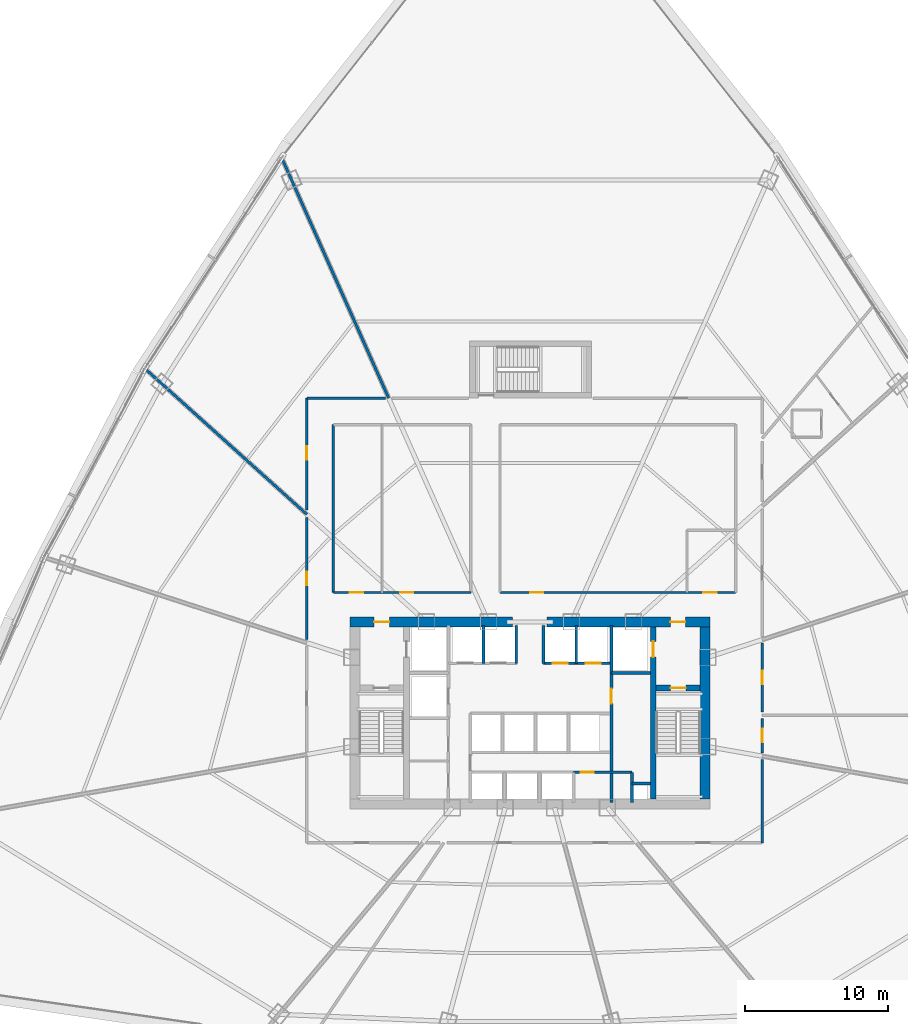
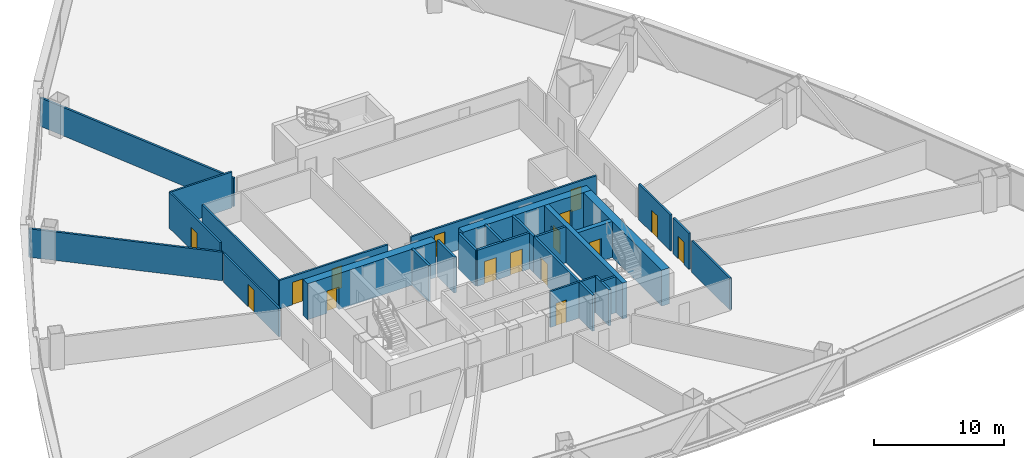
# One storey, part 36 of 42: 27 walls, 16 doors, 16 openings.
"""IFC4 building model written with IfcOpenShell, lengths in metres."""

from ifc_helpers import new_model, si_unit, direction, frame, frame_2d, origin, origin_with_axes, place, context, subcontext, project, spatial, rectangle, extrude, source, transform, mapped, material, layer, layer_set, type_object, element, fill, save


model = new_model("IFC4")

# Units and contexts
model_context = context("Model", 3, precision=1e-05, world=origin(), true_north=direction((0.0, 1.0)))
body_context = subcontext(model_context, "Body", "Model", "MODEL_VIEW")
ifc_project = project(units=[si_unit("LENGTHUNIT", "METRE"), si_unit("AREAUNIT", "SQUARE_METRE"), si_unit("VOLUMEUNIT", "CUBIC_METRE"), si_unit("PLANEANGLEUNIT", "RADIAN"), si_unit("MASSUNIT", "GRAM", prefix="KILO"), si_unit("THERMODYNAMICTEMPERATUREUNIT", "KELVIN"), si_unit("POWERUNIT", "WATT")], contexts=[model_context])

# Site, building, storey
site_placement = place(None, origin())
site = spatial("IfcSite", under=ifc_project, at=site_placement, CompositionType="ELEMENT")
building_placement = place(site_placement, origin())
building = spatial("IfcBuilding", under=site, at=building_placement, Name="Yunzhuo Pagoda Commons", CompositionType="ELEMENT")
storey_placement = place(building_placement, frame((0.0, 0.0, 44.919921875)))
storey = spatial("IfcBuildingStorey", under=building, at=storey_placement, Name="L11", CompositionType="ELEMENT", Elevation=44.919921875)

# Wall, opening, door
ifc_material_1 = material(Name="Concrete C60", Category="concrete")
ifc_layer_1 = layer(ifc_material_1, 0.699951171875)
ifc_layer_set_1 = layer_set([ifc_layer_1], Name="Concrete C60")
wall_type_1 = type_object("IfcWallType", Name="W-C01 Lower Core Shear Wall 700", PredefinedType="SHEAR", material=ifc_layer_set_1)
wall_1_placement = place(storey_placement, frame((35.449951171875, 40.199951171875, 0.0), z_axis=(0.0, 0.0, 1.0), x_axis=(1.0, 0.0, 0.0)))
wall_1 = element("IfcWall", 1, at=wall_1_placement, inside=storey, type_object=wall_type_1, Name="L11 core shear wall NW", PredefinedType="SHEAR", context=body_context, shape_type="SweptSolid", body=[
    extrude(rectangle(XDim=11.35009765625, YDim=0.699951171875, at=frame_2d((5.675048828125, 0.0))), origin(), (0.0, 0.0, 1.0), 3.3701171875),
])
opening_1_placement = place(wall_1_placement, frame((1.699951171875, 0.0, 0.0)))
opening_1 = element("IfcOpeningElement", 2, at=opening_1_placement, cuts=wall_1, Name="Opening D-02", PredefinedType="OPENING", context=body_context, shape_type="SweptSolid", body=[
    extrude(rectangle(XDim=1.050048828125, YDim=2.10009765625, at=frame_2d((0.52490234375, 1.050048828125))), frame((0.0, 0.35986328125, 0.0), z_axis=(0.0, -1.0, 0.0), x_axis=(1.0, 0.0, 0.0)), (0.0, 0.0, 1.0), 0.719970703125),
])
ifc_material_2 = material(Name="Galvanized fire-resisting metal leaf")
door_type_1 = type_object("IfcDoorType", Name="D-02 Firefighting Lobby & Refuge Fire Door 1050x2100", OperationType="NOTDEFINED", PredefinedType="DOOR", material=ifc_material_2)
shared_shape_1 = source(origin(), body_context, "Body", "SweptSolid", [
    extrude(rectangle(XDim=1.050048828125, YDim=2.10009765625, at=frame_2d((0.52490234375, 1.050048828125))), frame((0.0, 0.02490234375, 0.0), z_axis=(0.0, -1.0, 0.0), x_axis=(1.0, 0.0, 0.0)), (0.0, 0.0, 1.0), 0.050048828125),
])
door_1_placement = place(opening_1_placement, frame((1.050048828125, 0.0, 0.0), z_axis=(0.0, 0.0, 1.0), x_axis=(-1.0, 0.0, 0.0)))
door_1 = element("IfcDoor", 3, at=door_1_placement, inside=storey, type_object=door_type_1, Name="L11 Firefighting Lobby 1 fire door", OperationType="SINGLE_SWING_LEFT", OverallHeight=2.10009765625, OverallWidth=1.050048828125, PredefinedType="DOOR", context=body_context, shape_type="MappedRepresentation", body=[
    mapped(shared_shape_1, transform((0.0, 0.0, 0.0), scale=1.0)),
])
fill(opening_1, door_1)

wall_2_placement = place(storey_placement, frame((49.199951171875, 40.199951171875, 0.0), z_axis=(0.0, 0.0, 1.0), x_axis=(1.0, 0.0, 0.0)))
wall_2 = element("IfcWall", 4, at=wall_2_placement, inside=storey, type_object=wall_type_1, Name="L11 core shear wall NE", PredefinedType="SHEAR", context=body_context, shape_type="SweptSolid", body=[
    extrude(rectangle(XDim=11.35009765625, YDim=0.699951171875, at=frame_2d((5.675048828125, 0.0))), origin(), (0.0, 0.0, 1.0), 3.3701171875),
])
opening_2_placement = place(wall_2_placement, frame((8.60009765625, 0.0, 0.0)))
opening_2 = element("IfcOpeningElement", 5, at=opening_2_placement, cuts=wall_2, Name="Opening D-02", PredefinedType="OPENING", context=body_context, shape_type="SweptSolid", body=[
    extrude(rectangle(XDim=1.050048828125, YDim=2.10009765625, at=frame_2d((0.52490234375, 1.050048828125))), frame((0.0, 0.35986328125, 0.0), z_axis=(0.0, -1.0, 0.0), x_axis=(1.0, 0.0, 0.0)), (0.0, 0.0, 1.0), 0.719970703125),
])
door_2_placement = place(opening_2_placement, frame((1.050048828125, 0.0, 0.0), z_axis=(0.0, 0.0, 1.0), x_axis=(-1.0, 0.0, 0.0)))
door_2 = element("IfcDoor", 6, at=door_2_placement, inside=storey, type_object=door_type_1, Name="L11 Firefighting Lobby 2 fire door", OperationType="SINGLE_SWING_RIGHT", OverallHeight=2.10009765625, OverallWidth=1.050048828125, PredefinedType="DOOR", context=body_context, shape_type="MappedRepresentation", body=[
    mapped(shared_shape_1, transform((0.0, 0.0, 0.0), scale=1.0)),
])
fill(opening_2, door_2)

# Wall
wall_3_placement = place(storey_placement, frame((60.199951171875, 27.85009765625, 0.0), z_axis=(0.0, 0.0, 1.0), x_axis=(0.0, 1.0, 0.0)))
element("IfcWall", 7, at=wall_3_placement, inside=storey, type_object=wall_type_1, Name="L11 core shear wall E", PredefinedType="SHEAR", context=body_context, shape_type="SweptSolid", body=[
    extrude(rectangle(XDim=12.0, YDim=0.699951171875, at=frame_2d((6.0, 0.0))), origin(), (0.0, 0.0, 1.0), 3.3701171875),
])

# Wall, opening, door
ifc_material_3 = material(Name="Gypsum plasterboard on acoustic stud")
ifc_layer_2 = layer(ifc_material_3, 0.159912109375)
ifc_layer_set_2 = layer_set([ifc_layer_2], Name="Gypsum plasterboard on acoustic stud")
wall_type_2 = type_object("IfcWallType", Name="W-COR1 Tower Rated Corridor Wall 160", PredefinedType="PARTITIONING", material=ifc_layer_set_2)
wall_4_placement = place(storey_placement, frame((51.050048828125, 29.719970703125, 0.0), z_axis=(0.0, 0.0, 1.0), x_axis=(1.0, 0.0, 0.0)))
wall_4 = element("IfcWall", 8, at=wall_4_placement, inside=storey, type_object=wall_type_2, Name="L11 interior wall IW-L11-CSES", PredefinedType="PARTITIONING", context=body_context, shape_type="SweptSolid", body=[
    extrude(rectangle(XDim=4.070068359375, YDim=0.159912109375, at=frame_2d((2.03515625, 0.0))), origin(), (0.0, 0.0, 1.0), 3.3701171875),
])
opening_3_placement = place(wall_4_placement, frame((0.5, 0.0, 0.0)))
opening_3 = element("IfcOpeningElement", 9, at=opening_3_placement, cuts=wall_4, Name="Opening D-03", PredefinedType="OPENING", context=body_context, shape_type="SweptSolid", body=[
    extrude(rectangle(XDim=0.89990234375, YDim=2.10009765625, at=frame_2d((0.449951171875, 1.050048828125))), frame((0.0, 0.08984375, 0.0), z_axis=(0.0, -1.0, 0.0), x_axis=(1.0, 0.0, 0.0)), (0.0, 0.0, 1.0), 0.179931640625),
])
door_type_2 = type_object("IfcDoorType", Name="D-03 Core Service Fire Door 900x2100", OperationType="NOTDEFINED", PredefinedType="DOOR", material=ifc_material_2)
shared_shape_2 = source(origin(), body_context, "Body", "SweptSolid", [
    extrude(rectangle(XDim=0.89990234375, YDim=2.10009765625, at=frame_2d((0.449951171875, 1.050048828125))), frame((0.0, 0.02490234375, 0.0), z_axis=(0.0, -1.0, 0.0), x_axis=(1.0, 0.0, 0.0)), (0.0, 0.0, 1.0), 0.050048828125),
])
door_3_placement = place(opening_3_placement, origin_with_axes())
door_3 = element("IfcDoor", 10, at=door_3_placement, inside=storey, type_object=door_type_2, Name="L11 IT closet door", OperationType="SINGLE_SWING_LEFT", OverallHeight=2.10009765625, OverallWidth=0.89990234375, PredefinedType="DOOR", context=body_context, shape_type="MappedRepresentation", body=[
    mapped(shared_shape_2, transform((0.0, 0.0, 0.0), scale=1.0)),
])
fill(opening_3, door_3)

# Wall, openings, doors
wall_5_placement = place(storey_placement, frame((34.300048828125, 42.25, 0.0), z_axis=(0.0, 0.0, 1.0), x_axis=(1.0, 0.0, 0.0)))
wall_5 = element("IfcWall", 11, at=wall_5_placement, inside=storey, type_object=wall_type_2, Name="L11 interior wall IW-L11-ISLWS", PredefinedType="PARTITIONING", context=body_context, shape_type="SweptSolid", body=[
    extrude(rectangle(XDim=9.579833984375, YDim=0.159912109375, at=frame_2d((4.7900390625, 0.0))), origin(), (0.0, 0.0, 1.0), 2.670166015625),
])
opening_4_placement = place(wall_5_placement, frame((1.14990234375, 0.0, 0.0)))
opening_4 = element("IfcOpeningElement", 12, at=opening_4_placement, cuts=wall_5, Name="Opening D-04", PredefinedType="OPENING", context=body_context, shape_type="SweptSolid", body=[
    extrude(rectangle(XDim=0.919921875, YDim=2.10009765625, at=frame_2d((0.4599609375, 1.050048828125))), frame((0.0, 0.08984375, 0.0), z_axis=(0.0, -1.0, 0.0), x_axis=(1.0, 0.0, 0.0)), (0.0, 0.0, 1.0), 0.179931640625),
])
opening_5_placement = place(wall_5_placement, frame((4.64990234375, 0.0, 0.0)))
opening_5 = element("IfcOpeningElement", 13, at=opening_5_placement, cuts=wall_5, Name="Opening D-04", PredefinedType="OPENING", context=body_context, shape_type="SweptSolid", body=[
    extrude(rectangle(XDim=0.919921875, YDim=2.10009765625, at=frame_2d((0.4599609375, 1.050048828125))), frame((0.0, 0.08984375, 0.0), z_axis=(0.0, -1.0, 0.0), x_axis=(1.0, 0.0, 0.0)), (0.0, 0.0, 1.0), 0.179931640625),
])
ifc_material_4 = material(Name="Powder-coated aluminium and timber acoustic leaf", Category="wood")
door_type_3 = type_object("IfcDoorType", Name="D-04 Bedroom & Study Interior Door 920x2100", OperationType="NOTDEFINED", PredefinedType="DOOR", material=ifc_material_4)
shared_shape_3 = source(origin(), body_context, "Body", "SweptSolid", [
    extrude(rectangle(XDim=0.919921875, YDim=2.10009765625, at=frame_2d((0.4599609375, 1.050048828125))), frame((0.0, 0.02490234375, 0.0), z_axis=(0.0, -1.0, 0.0), x_axis=(1.0, 0.0, 0.0)), (0.0, 0.0, 1.0), 0.050048828125),
])
door_4_placement = place(opening_4_placement, frame((0.919921875, 0.0, 0.0), z_axis=(0.0, 0.0, 1.0), x_axis=(-1.0, 0.0, 0.0)))
door_4 = element("IfcDoor", 14, at=door_4_placement, inside=storey, type_object=door_type_3, Name="L11 laundry door", OperationType="SINGLE_SWING_LEFT", OverallHeight=2.10009765625, OverallWidth=0.919921875, PredefinedType="DOOR", context=body_context, shape_type="MappedRepresentation", body=[
    mapped(shared_shape_3, transform((0.0, 0.0, 0.0), scale=1.0)),
])
fill(opening_4, door_4)
door_5_placement = place(opening_5_placement, frame((0.919921875, 0.0, 0.0), z_axis=(0.0, 0.0, 1.0), x_axis=(-1.0, 0.0, 0.0)))
door_5 = element("IfcDoor", 15, at=door_5_placement, inside=storey, type_object=door_type_3, Name="L11 study commons W door", OperationType="SINGLE_SWING_RIGHT", OverallHeight=2.10009765625, OverallWidth=0.919921875, PredefinedType="DOOR", context=body_context, shape_type="MappedRepresentation", body=[
    mapped(shared_shape_3, transform((0.0, 0.0, 0.0), scale=1.0)),
])
fill(opening_5, door_5)

# Wall
wall_6_placement = place(storey_placement, frame((34.300048828125, 42.25, 0.0), z_axis=(0.0, 0.0, 1.0), x_axis=(0.0, 1.0, 0.0)))
element("IfcWall", 16, at=wall_6_placement, inside=storey, type_object=wall_type_2, Name="L11 interior wall IW-L11-ISLWW", PredefinedType="PARTITIONING", context=body_context, shape_type="SweptSolid", body=[
    extrude(rectangle(XDim=11.699951171875, YDim=0.159912109375, at=frame_2d((5.85009765625, 0.0))), origin(), (0.0, 0.0, 1.0), 2.670166015625),
])

# Wall, openings, doors
wall_7_placement = place(storey_placement, frame((45.919921875, 42.25, 0.0), z_axis=(0.0, 0.0, 1.0), x_axis=(1.0, 0.0, 0.0)))
wall_7 = element("IfcWall", 17, at=wall_7_placement, inside=storey, type_object=wall_type_2, Name="L11 interior wall IW-L11-ISLES", PredefinedType="PARTITIONING", context=body_context, shape_type="SweptSolid", body=[
    extrude(rectangle(XDim=16.43017578125, YDim=0.159912109375, at=frame_2d((8.215087890625, 0.0))), origin(), (0.0, 0.0, 1.0), 2.670166015625),
])
opening_6_placement = place(wall_7_placement, frame((2.10009765625, 0.0, 0.0)))
opening_6 = element("IfcOpeningElement", 18, at=opening_6_placement, cuts=wall_7, Name="Opening D-04", PredefinedType="OPENING", context=body_context, shape_type="SweptSolid", body=[
    extrude(rectangle(XDim=0.919921875, YDim=2.10009765625, at=frame_2d((0.4599609375, 1.050048828125))), frame((0.0, 0.08984375, 0.0), z_axis=(0.0, -1.0, 0.0), x_axis=(1.0, 0.0, 0.0)), (0.0, 0.0, 1.0), 0.179931640625),
])
opening_7_placement = place(wall_7_placement, frame((14.179931640625, 0.0, 0.0)))
opening_7 = element("IfcOpeningElement", 19, at=opening_7_placement, cuts=wall_7, Name="Opening D-11", PredefinedType="OPENING", context=body_context, shape_type="SweptSolid", body=[
    extrude(rectangle(XDim=0.93994140625, YDim=2.10009765625, at=frame_2d((0.469970703125, 1.050048828125))), frame((0.0, 0.08984375, 0.0), z_axis=(0.0, -1.0, 0.0), x_axis=(1.0, 0.0, 0.0)), (0.0, 0.0, 1.0), 0.179931640625),
])
door_type_4 = type_object("IfcDoorType", Name="D-11 Accessible Washroom Fire Door 940x2100", OperationType="NOTDEFINED", PredefinedType="DOOR", material=ifc_material_2)
shared_shape_4 = source(origin(), body_context, "Body", "SweptSolid", [
    extrude(rectangle(XDim=0.93994140625, YDim=2.10009765625, at=frame_2d((0.469970703125, 1.050048828125))), frame((0.0, 0.02490234375, 0.0), z_axis=(0.0, -1.0, 0.0), x_axis=(1.0, 0.0, 0.0)), (0.0, 0.0, 1.0), 0.050048828125),
])
door_6_placement = place(opening_7_placement, frame((0.93994140625, 0.0, 0.0), z_axis=(0.0, 0.0, 1.0), x_axis=(-1.0, 0.0, 0.0)))
door_6 = element("IfcDoor", 20, at=door_6_placement, inside=storey, type_object=door_type_4, Name="L11 accessible WC door", OperationType="SINGLE_SWING_RIGHT", OverallHeight=2.10009765625, OverallWidth=0.93994140625, PredefinedType="DOOR", context=body_context, shape_type="MappedRepresentation", body=[
    mapped(shared_shape_4, transform((0.0, 0.0, 0.0), scale=1.0)),
])
fill(opening_7, door_6)
door_7_placement = place(opening_6_placement, frame((0.919921875, 0.0, 0.0), z_axis=(0.0, 0.0, 1.0), x_axis=(-1.0, 0.0, 0.0)))
door_7 = element("IfcDoor", 21, at=door_7_placement, inside=storey, type_object=door_type_3, Name="L11 reading commons door", OperationType="SINGLE_SWING_LEFT", OverallHeight=2.10009765625, OverallWidth=0.919921875, PredefinedType="DOOR", context=body_context, shape_type="MappedRepresentation", body=[
    mapped(shared_shape_3, transform((0.0, 0.0, 0.0), scale=1.0)),
])
fill(opening_6, door_7)

# Wall, opening, door
wall_8_placement = place(storey_placement, frame((32.449951171875, 38.98388671875, 0.0), z_axis=(0.0, 0.0, 1.0), x_axis=(0.0, 1.0, 0.0)))
wall_8 = element("IfcWall", 22, at=wall_8_placement, inside=storey, type_object=wall_type_2, Name="L11 interior wall IW-L11-CWL03", PredefinedType="PARTITIONING", context=body_context, shape_type="SweptSolid", body=[
    extrude(rectangle(XDim=8.497802734375, YDim=0.159912109375, at=frame_2d((4.2490234375, 0.0))), origin(), (0.0, 0.0, 1.0), 2.670166015625),
])
opening_8_placement = place(wall_8_placement, frame((3.76806640625, 0.0, 0.0)))
opening_8 = element("IfcOpeningElement", 23, at=opening_8_placement, cuts=wall_8, Name="Opening D-06", PredefinedType="OPENING", context=body_context, shape_type="SweptSolid", body=[
    extrude(rectangle(XDim=0.949951171875, YDim=2.10009765625, at=frame_2d((0.47509765625, 1.050048828125))), frame((0.0, 0.08984375, 0.0), z_axis=(0.0, -1.0, 0.0), x_axis=(1.0, 0.0, 0.0)), (0.0, 0.0, 1.0), 0.179931640625),
])
door_type_5 = type_object("IfcDoorType", Name="D-06 Co-Living Suite Entrance Fire Door 950x2100", OperationType="NOTDEFINED", PredefinedType="DOOR", material=ifc_material_2)
shared_shape_5 = source(origin(), body_context, "Body", "SweptSolid", [
    extrude(rectangle(XDim=0.949951171875, YDim=2.10009765625, at=frame_2d((0.47509765625, 1.050048828125))), frame((0.0, 0.02490234375, 0.0), z_axis=(0.0, -1.0, 0.0), x_axis=(1.0, 0.0, 0.0)), (0.0, 0.0, 1.0), 0.050048828125),
])
door_8_placement = place(opening_8_placement, origin_with_axes())
door_8 = element("IfcDoor", 24, at=door_8_placement, inside=storey, type_object=door_type_5, Name="L11 unit 06 entrance door", OperationType="SINGLE_SWING_LEFT", OverallHeight=2.10009765625, OverallWidth=0.949951171875, PredefinedType="DOOR", context=body_context, shape_type="MappedRepresentation", body=[
    mapped(shared_shape_5, transform((0.0, 0.0, 0.0), scale=1.0)),
])
fill(opening_8, door_8)

wall_9_placement = place(storey_placement, frame((32.449951171875, 47.997314453125, 0.0), z_axis=(0.0, 0.0, 1.0), x_axis=(0.0, 1.0, 0.0)))
wall_9 = element("IfcWall", 25, at=wall_9_placement, inside=storey, type_object=wall_type_2, Name="L11 interior wall IW-L11-CWL04", PredefinedType="PARTITIONING", context=body_context, shape_type="SweptSolid", body=[
    extrude(rectangle(XDim=7.802734375, YDim=0.159912109375, at=frame_2d((3.9013671875, 0.0))), origin(), (0.0, 0.0, 1.0), 3.3701171875),
])
opening_9_placement = place(wall_9_placement, frame((3.50830078125, 0.0, 0.0)))
opening_9 = element("IfcOpeningElement", 26, at=opening_9_placement, cuts=wall_9, Name="Opening D-06", PredefinedType="OPENING", context=body_context, shape_type="SweptSolid", body=[
    extrude(rectangle(XDim=0.949951171875, YDim=2.10009765625, at=frame_2d((0.47509765625, 1.050048828125))), frame((0.0, 0.08984375, 0.0), z_axis=(0.0, -1.0, 0.0), x_axis=(1.0, 0.0, 0.0)), (0.0, 0.0, 1.0), 0.179931640625),
])
door_9_placement = place(opening_9_placement, origin_with_axes())
door_9 = element("IfcDoor", 27, at=door_9_placement, inside=storey, type_object=door_type_5, Name="L11 unit 05 entrance door", OperationType="SINGLE_SWING_RIGHT", OverallHeight=2.10009765625, OverallWidth=0.949951171875, PredefinedType="DOOR", context=body_context, shape_type="MappedRepresentation", body=[
    mapped(shared_shape_5, transform((0.0, 0.0, 0.0), scale=1.0)),
])
fill(opening_9, door_9)

# Wall
wall_10_placement = place(storey_placement, frame((32.449951171875, 55.800048828125, 0.0), z_axis=(0.0, 0.0, 1.0), x_axis=(1.0, 0.0, 0.0)))
element("IfcWall", 28, at=wall_10_placement, inside=storey, type_object=wall_type_2, Name="L11 interior wall IW-L11-CWL05", PredefinedType="PARTITIONING", context=body_context, shape_type="SweptSolid", body=[
    extrude(rectangle(XDim=5.4697265625, YDim=0.159912109375, at=frame_2d((2.73486328125, 0.0))), origin(), (0.0, 0.0, 1.0), 3.3701171875),
])

# Wall, opening, door
wall_11_placement = place(storey_placement, frame((64.199951171875, 38.743896484375, 0.0), z_axis=(0.0, 0.0, 1.0), x_axis=(0.0, -1.0, 0.0)))
wall_11 = element("IfcWall", 29, at=wall_11_placement, inside=storey, type_object=wall_type_2, Name="L11 interior wall IW-L11-CWL11", PredefinedType="PARTITIONING", context=body_context, shape_type="SweptSolid", body=[
    extrude(rectangle(XDim=4.823974609375, YDim=0.159912109375, at=frame_2d((2.412109375, 0.0))), origin(), (0.0, 0.0, 1.0), 3.3701171875),
])
opening_10_placement = place(wall_11_placement, frame((1.951904296875, 0.0, 0.0)))
opening_10 = element("IfcOpeningElement", 30, at=opening_10_placement, cuts=wall_11, Name="Opening D-04", PredefinedType="OPENING", context=body_context, shape_type="SweptSolid", body=[
    extrude(rectangle(XDim=0.919921875, YDim=2.10009765625, at=frame_2d((0.4599609375, 1.050048828125))), frame((0.0, 0.08984375, 0.0), z_axis=(0.0, -1.0, 0.0), x_axis=(1.0, 0.0, 0.0)), (0.0, 0.0, 1.0), 0.179931640625),
])
door_10_placement = place(opening_10_placement, origin_with_axes())
door_10 = element("IfcDoor", 31, at=door_10_placement, inside=storey, type_object=door_type_3, Name="L11 seminar room 01 door", OperationType="SINGLE_SWING_RIGHT", OverallHeight=2.10009765625, OverallWidth=0.919921875, PredefinedType="DOOR", context=body_context, shape_type="MappedRepresentation", body=[
    mapped(shared_shape_3, transform((0.0, 0.0, 0.0), scale=1.0)),
])
fill(opening_10, door_10)

wall_12_placement = place(storey_placement, frame((64.199951171875, 33.47998046875, 0.0), z_axis=(0.0, 0.0, 1.0), x_axis=(0.0, -1.0, 0.0)))
wall_12 = element("IfcWall", 32, at=wall_12_placement, inside=storey, type_object=wall_type_2, Name="L11 interior wall IW-L11-CWL12", PredefinedType="PARTITIONING", context=body_context, shape_type="SweptSolid", body=[
    extrude(rectangle(XDim=2.416748046875, YDim=0.159912109375, at=frame_2d((1.20849609375, 0.0))), origin(), (0.0, 0.0, 1.0), 3.3701171875),
])
opening_11_placement = place(wall_12_placement, frame((0.733154296875, 0.0, 0.0)))
opening_11 = element("IfcOpeningElement", 33, at=opening_11_placement, cuts=wall_12, Name="Opening D-06", PredefinedType="OPENING", context=body_context, shape_type="SweptSolid", body=[
    extrude(rectangle(XDim=0.949951171875, YDim=2.10009765625, at=frame_2d((0.47509765625, 1.050048828125))), frame((0.0, 0.08984375, 0.0), z_axis=(0.0, -1.0, 0.0), x_axis=(1.0, 0.0, 0.0)), (0.0, 0.0, 1.0), 0.179931640625),
])
door_11_placement = place(opening_11_placement, origin_with_axes())
door_11 = element("IfcDoor", 34, at=door_11_placement, inside=storey, type_object=door_type_5, Name="L11 unit 13 entrance door", OperationType="SINGLE_SWING_RIGHT", OverallHeight=2.10009765625, OverallWidth=0.949951171875, PredefinedType="DOOR", context=body_context, shape_type="MappedRepresentation", body=[
    mapped(shared_shape_5, transform((0.0, 0.0, 0.0), scale=1.0)),
])
fill(opening_11, door_11)

# Walls
wall_13_placement = place(storey_placement, frame((64.199951171875, 30.6201171875, 0.0), z_axis=(0.0, 0.0, 1.0), x_axis=(0.0, -1.0, 0.0)))
element("IfcWall", 35, at=wall_13_placement, inside=storey, type_object=wall_type_2, Name="L11 interior wall IW-L11-CWL13", PredefinedType="PARTITIONING", context=body_context, shape_type="SweptSolid", body=[
    extrude(rectangle(XDim=5.820068359375, YDim=0.159912109375, at=frame_2d((2.91015625, 0.0))), origin(), (0.0, 0.0, 1.0), 2.969970703125),
])
ifc_layer_3 = layer(ifc_material_3, 0.179931640625)
ifc_layer_set_3 = layer_set([ifc_layer_3], Name="Gypsum plasterboard on acoustic stud")
wall_type_3 = type_object("IfcWallType", Name="W-PRT2 Acoustic Unit Demising Wall 180", PredefinedType="PARTITIONING", material=ifc_layer_set_3)
wall_14_placement = place(storey_placement, frame((38.160400390625, 55.800048828125, 0.0), z_axis=(0.0, 0.0, 1.0), x_axis=(-0.406730734994, 0.913548088067, 0.0)))
element("IfcWall", 36, at=wall_14_placement, inside=storey, type_object=wall_type_3, Name="L11 interior wall IW-L11-RAD05", PredefinedType="PARTITIONING", context=body_context, shape_type="SweptSolid", body=[
    extrude(rectangle(XDim=18.355712890625, YDim=0.179931640625, at=frame_2d((9.177734375, 0.0))), origin(), (0.0, 0.0, 1.0), 2.670166015625),
])
wall_15_placement = place(storey_placement, frame((32.449951171875, 47.701416015625, 0.0), z_axis=(0.0, 0.0, 1.0), x_axis=(-0.743155181141, 0.66911910505, 0.0)))
element("IfcWall", 37, at=wall_15_placement, inside=storey, type_object=wall_type_3, Name="L11 interior wall IW-L11-RAD06", PredefinedType="PARTITIONING", context=body_context, shape_type="SweptSolid", body=[
    extrude(rectangle(XDim=15.201904296875, YDim=0.179931640625, at=frame_2d((7.60107421875, 0.0))), origin(), (0.0, 0.0, 1.0), 2.670166015625),
])

# Wall, opening, door
ifc_layer_4 = layer(ifc_material_1, 0.39990234375)
ifc_layer_set_4 = layer_set([ifc_layer_4], Name="Concrete C60")
wall_type_4 = type_object("IfcWallType", Name="W-S01 Internal Core Shear Web 400", PredefinedType="SHEAR", material=ifc_layer_set_4)
wall_16_placement = place(storey_placement, frame((56.60009765625, 27.85009765625, 0.0), z_axis=(0.0, 0.0, 1.0), x_axis=(0.0, 1.0, 0.0)))
wall_16 = element("IfcWall", 38, at=wall_16_placement, inside=storey, type_object=wall_type_4, Name="L11 core shear wall WEBE", PredefinedType="SHEAR", context=body_context, shape_type="SweptSolid", body=[
    extrude(rectangle(XDim=12.0, YDim=0.39990234375, at=frame_2d((6.0, 0.0))), origin(), (0.0, 0.0, 1.0), 3.3701171875),
])
opening_12_placement = place(wall_16_placement, frame((9.89990234375, 0.0, 0.0)))
opening_12 = element("IfcOpeningElement", 39, at=opening_12_placement, cuts=wall_16, Name="Opening LD-01", PredefinedType="OPENING", context=body_context, shape_type="SweptSolid", body=[
    extrude(rectangle(XDim=1.10009765625, YDim=2.10009765625, at=frame_2d((0.550048828125, 1.050048828125))), frame((0.0, 0.2099609375, 0.0), z_axis=(0.0, -1.0, 0.0), x_axis=(1.0, 0.0, 0.0)), (0.0, 0.0, 1.0), 0.419921875),
])
door_type_6 = type_object("IfcDoorType", Name="LD-01 Firefighting Lift Landing Door 1100x2100", OperationType="DOUBLE_DOOR_SLIDING", PredefinedType="DOOR", material=ifc_material_2)
shared_shape_6 = source(origin(), body_context, "Body", "SweptSolid", [
    extrude(rectangle(XDim=1.10009765625, YDim=2.10009765625, at=frame_2d((0.550048828125, 1.050048828125))), frame((0.0, 0.02490234375, 0.0), z_axis=(0.0, -1.0, 0.0), x_axis=(1.0, 0.0, 0.0)), (0.0, 0.0, 1.0), 0.050048828125),
])
door_12_placement = place(opening_12_placement, origin_with_axes())
door_12 = element("IfcDoor", 40, at=door_12_placement, inside=storey, type_object=door_type_6, Name="L11 Firefighting lift FL-2 landing door", OperationType="DOUBLE_DOOR_SLIDING", OverallHeight=2.10009765625, OverallWidth=1.10009765625, PredefinedType="DOOR", context=body_context, shape_type="MappedRepresentation", body=[
    mapped(shared_shape_6, transform((0.0, 0.0, 0.0), scale=1.0)),
])
fill(opening_12, door_12)

wall_17_placement = place(storey_placement, frame((56.800048828125, 35.60009765625, 0.0), z_axis=(0.0, 0.0, 1.0), x_axis=(1.0, 0.0, 0.0)))
wall_17 = element("IfcWall", 41, at=wall_17_placement, inside=storey, type_object=wall_type_4, Name="L11 core shear wall STE", PredefinedType="SHEAR", context=body_context, shape_type="SweptSolid", body=[
    extrude(rectangle(XDim=3.050048828125, YDim=0.39990234375, at=frame_2d((1.52490234375, 0.0))), origin(), (0.0, 0.0, 1.0), 3.3701171875),
])
opening_13_placement = place(wall_17_placement, frame((1.02001953125, 0.0, 0.0)))
opening_13 = element("IfcOpeningElement", 42, at=opening_13_placement, cuts=wall_17, Name="Opening D-01", PredefinedType="OPENING", context=body_context, shape_type="SweptSolid", body=[
    extrude(rectangle(XDim=1.050048828125, YDim=2.10009765625, at=frame_2d((0.52490234375, 1.050048828125))), frame((0.0, 0.2099609375, 0.0), z_axis=(0.0, -1.0, 0.0), x_axis=(1.0, 0.0, 0.0)), (0.0, 0.0, 1.0), 0.419921875),
])
door_type_7 = type_object("IfcDoorType", Name="D-01 Smokeproof Stair Fire Door 1050x2100", OperationType="NOTDEFINED", PredefinedType="DOOR", material=ifc_material_2)
door_13_placement = place(opening_13_placement, frame((1.050048828125, 0.0, 0.0), z_axis=(0.0, 0.0, 1.0), x_axis=(-1.0, 0.0, 0.0)))
door_13 = element("IfcDoor", 43, at=door_13_placement, inside=storey, type_object=door_type_7, Name="L11 Stair ST2 fire door", OperationType="SINGLE_SWING_RIGHT", OverallHeight=2.10009765625, OverallWidth=1.050048828125, PredefinedType="DOOR", context=body_context, shape_type="MappedRepresentation", body=[
    mapped(shared_shape_1, transform((0.0, 0.0, 0.0), scale=1.0)),
])
fill(opening_13, door_13)

# Walls
ifc_material_5 = material(Name="Concrete C40", Category="concrete")
ifc_layer_5 = layer(ifc_material_5, 0.199951171875)
ifc_layer_set_5 = layer_set([ifc_layer_5], Name="Concrete C40")
wall_type_5 = type_object("IfcWallType", Name="W-SHF Shaft & Stair Enclosure Wall 200", PredefinedType="SOLIDWALL", material=ifc_layer_set_5)
wall_18_placement = place(storey_placement, frame((53.679931640625, 36.64990234375, 0.0), z_axis=(0.0, 0.0, 1.0), x_axis=(0.0, 1.0, 0.0)))
element("IfcWall", 44, at=wall_18_placement, inside=storey, type_object=wall_type_5, Name="L11 interior wall IW-L11-FL2W", PredefinedType="SOLIDWALL", context=body_context, shape_type="SweptSolid", body=[
    extrude(rectangle(XDim=3.300048828125, YDim=0.199951171875, at=frame_2d((1.64990234375, 0.0))), origin(), (0.0, 0.0, 1.0), 3.3701171875),
])
wall_19_placement = place(storey_placement, frame((53.679931640625, 36.64990234375, 0.0), z_axis=(0.0, 0.0, 1.0), x_axis=(1.0, 0.0, 0.0)))
element("IfcWall", 45, at=wall_19_placement, inside=storey, type_object=wall_type_5, Name="L11 interior wall IW-L11-FL2S", PredefinedType="SOLIDWALL", context=body_context, shape_type="SweptSolid", body=[
    extrude(rectangle(XDim=2.719970703125, YDim=0.199951171875, at=frame_2d((1.35986328125, 0.0))), origin(), (0.0, 0.0, 1.0), 3.3701171875),
])

# Wall, openings, doors
wall_20_placement = place(storey_placement, frame((48.949951171875, 37.320068359375, 0.0), z_axis=(0.0, 0.0, 1.0), x_axis=(1.0, 0.0, 0.0)))
wall_20 = element("IfcWall", 46, at=wall_20_placement, inside=storey, type_object=wall_type_5, Name="L11 interior wall IW-L11-LBNE", PredefinedType="SOLIDWALL", context=body_context, shape_type="SweptSolid", body=[
    extrude(rectangle(XDim=4.72998046875, YDim=0.199951171875, at=frame_2d((2.364990234375, 0.0))), origin(), (0.0, 0.0, 1.0), 3.3701171875),
])
opening_14_placement = place(wall_20_placement, frame((0.64990234375, 0.0, 0.0)))
opening_14 = element("IfcOpeningElement", 47, at=opening_14_placement, cuts=wall_20, Name="Opening LD-02", PredefinedType="OPENING", context=body_context, shape_type="SweptSolid", body=[
    extrude(rectangle(XDim=1.050048828125, YDim=2.10009765625, at=frame_2d((0.52490234375, 1.050048828125))), frame((0.0, 0.10986328125, 0.0), z_axis=(0.0, -1.0, 0.0), x_axis=(1.0, 0.0, 0.0)), (0.0, 0.0, 1.0), 0.219970703125),
])
opening_15_placement = place(wall_20_placement, frame((2.949951171875, 0.0, 0.0)))
opening_15 = element("IfcOpeningElement", 48, at=opening_15_placement, cuts=wall_20, Name="Opening LD-02", PredefinedType="OPENING", context=body_context, shape_type="SweptSolid", body=[
    extrude(rectangle(XDim=1.050048828125, YDim=2.10009765625, at=frame_2d((0.52490234375, 1.050048828125))), frame((0.0, 0.10986328125, 0.0), z_axis=(0.0, -1.0, 0.0), x_axis=(1.0, 0.0, 0.0)), (0.0, 0.0, 1.0), 0.219970703125),
])
door_type_8 = type_object("IfcDoorType", Name="LD-02 Passenger Lift Landing Door 1050x2100", OperationType="DOUBLE_DOOR_SLIDING", PredefinedType="DOOR", material=ifc_material_2)
door_14_placement = place(opening_14_placement, frame((1.050048828125, 0.0, 0.0), z_axis=(0.0, 0.0, 1.0), x_axis=(-1.0, 0.0, 0.0)))
door_14 = element("IfcDoor", 49, at=door_14_placement, inside=storey, type_object=door_type_8, Name="L11 Passenger lift PL-L3 landing door", OperationType="DOUBLE_DOOR_SLIDING", OverallHeight=2.10009765625, OverallWidth=1.050048828125, PredefinedType="DOOR", context=body_context, shape_type="MappedRepresentation", body=[
    mapped(shared_shape_1, transform((0.0, 0.0, 0.0), scale=1.0)),
])
fill(opening_14, door_14)
door_15_placement = place(opening_15_placement, frame((1.050048828125, 0.0, 0.0), z_axis=(0.0, 0.0, 1.0), x_axis=(-1.0, 0.0, 0.0)))
door_15 = element("IfcDoor", 50, at=door_15_placement, inside=storey, type_object=door_type_8, Name="L11 Passenger lift PL-L4 landing door", OperationType="DOUBLE_DOOR_SLIDING", OverallHeight=2.10009765625, OverallWidth=1.050048828125, PredefinedType="DOOR", context=body_context, shape_type="MappedRepresentation", body=[
    mapped(shared_shape_1, transform((0.0, 0.0, 0.0), scale=1.0)),
])
fill(opening_15, door_15)

# Walls
for number, where, z_axis, x_axis, name in (
    (51, (47.050048828125, 37.320068359375, 0.0), (0.0, 0.0, 1.0), (0.0, 1.0, 0.0), "L11 interior wall IW-L11-THRW"),
    (52, (48.949951171875, 37.320068359375, 0.0), (0.0, 0.0, 1.0), (0.0, 1.0, 0.0), "L11 interior wall IW-L11-THRE"),
    (53, (44.77001953125, 37.320068359375, 0.0), (0.0, 0.0, 1.0), (0.0, 1.0, 0.0), "L11 interior wall IW-L11-PLL12"),
    (54, (51.22998046875, 37.320068359375, 0.0), (0.0, 0.0, 1.0), (0.0, 1.0, 0.0), "L11 interior wall IW-L11-PLL34"),
):
    element("IfcWall", number, at=place(storey_placement, frame(where, z_axis=z_axis, x_axis=x_axis)), inside=storey, type_object=wall_type_5, Name=name, PredefinedType="SOLIDWALL", context=body_context, shape_type="SweptSolid", body=[
        extrude(rectangle(XDim=2.6298828125, YDim=0.199951171875, at=frame_2d((1.31494140625, 0.0))), origin(), (0.0, 0.0, 1.0), 3.3701171875),
    ])

# Wall, opening, door
wall_21_placement = place(storey_placement, frame((53.679931640625, 27.60009765625, 0.0), z_axis=(0.0, 0.0, 1.0), x_axis=(0.0, 1.0, 0.0)))
wall_21 = element("IfcWall", 55, at=wall_21_placement, inside=storey, type_object=wall_type_5, Name="L11 interior wall IW-L11-PLME", PredefinedType="SOLIDWALL", context=body_context, shape_type="SweptSolid", body=[
    extrude(rectangle(XDim=9.0498046875, YDim=0.199951171875, at=frame_2d((4.52490234375, 0.0))), origin(), (0.0, 0.0, 1.0), 3.3701171875),
])
opening_16_placement = place(wall_21_placement, frame((6.89990234375, 0.0, 0.0)))
opening_16 = element("IfcOpeningElement", 56, at=opening_16_placement, cuts=wall_21, Name="Opening D-02", PredefinedType="OPENING", context=body_context, shape_type="SweptSolid", body=[
    extrude(rectangle(XDim=1.050048828125, YDim=2.10009765625, at=frame_2d((0.52490234375, 1.050048828125))), frame((0.0, 0.10986328125, 0.0), z_axis=(0.0, -1.0, 0.0), x_axis=(1.0, 0.0, 0.0)), (0.0, 0.0, 1.0), 0.219970703125),
])
door_16_placement = place(opening_16_placement, origin_with_axes())
door_16 = element("IfcDoor", 57, at=door_16_placement, inside=storey, type_object=door_type_1, Name="L11 High-bank lift hall door", OperationType="SINGLE_SWING_RIGHT", OverallHeight=2.10009765625, OverallWidth=1.050048828125, PredefinedType="DOOR", context=body_context, shape_type="MappedRepresentation", body=[
    mapped(shared_shape_1, transform((0.0, 0.0, 0.0), scale=1.0)),
])
fill(opening_16, door_16)

# Walls
wall_22_placement = place(storey_placement, frame((55.1201171875, 27.60009765625, 0.0), z_axis=(0.0, 0.0, 1.0), x_axis=(0.0, 1.0, 0.0)))
element("IfcWall", 58, at=wall_22_placement, inside=storey, type_object=wall_type_5, Name="L11 interior wall IW-L11-RSHFW", PredefinedType="SOLIDWALL", context=body_context, shape_type="SweptSolid", body=[
    extrude(rectangle(XDim=2.119873046875, YDim=0.199951171875, at=frame_2d((1.06005859375, 0.0))), origin(), (0.0, 0.0, 1.0), 3.3701171875),
])
wall_23_placement = place(storey_placement, frame((55.1201171875, 28.949951171875, 0.0), z_axis=(0.0, 0.0, 1.0), x_axis=(1.0, 0.0, 0.0)))
element("IfcWall", 59, at=wall_23_placement, inside=storey, type_object=wall_type_5, Name="L11 interior wall IW-L11-RSHFN", PredefinedType="SOLIDWALL", context=body_context, shape_type="SweptSolid", body=[
    extrude(rectangle(XDim=1.27978515625, YDim=0.199951171875, at=frame_2d((0.639892578125, 0.0))), origin(), (0.0, 0.0, 1.0), 3.3701171875),
])

save(model, "model.ifc")
